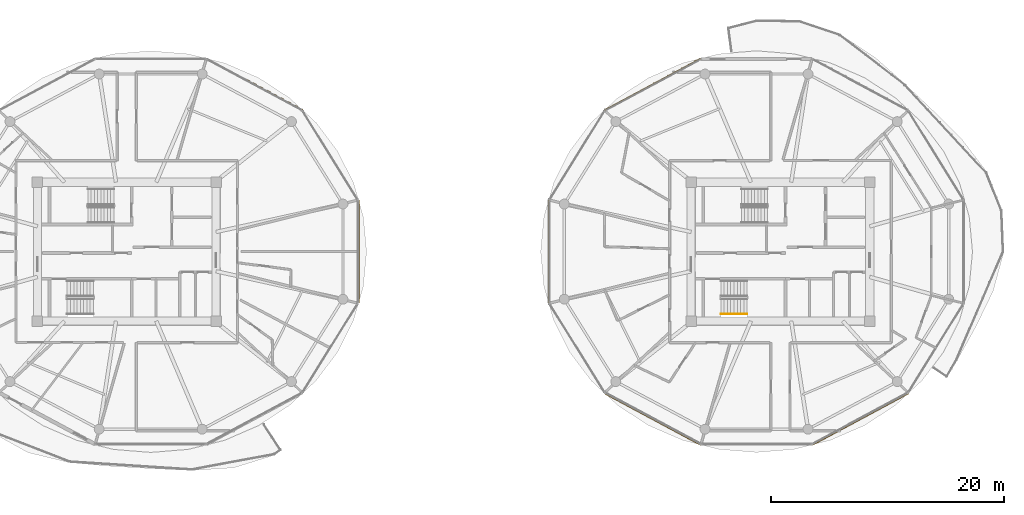
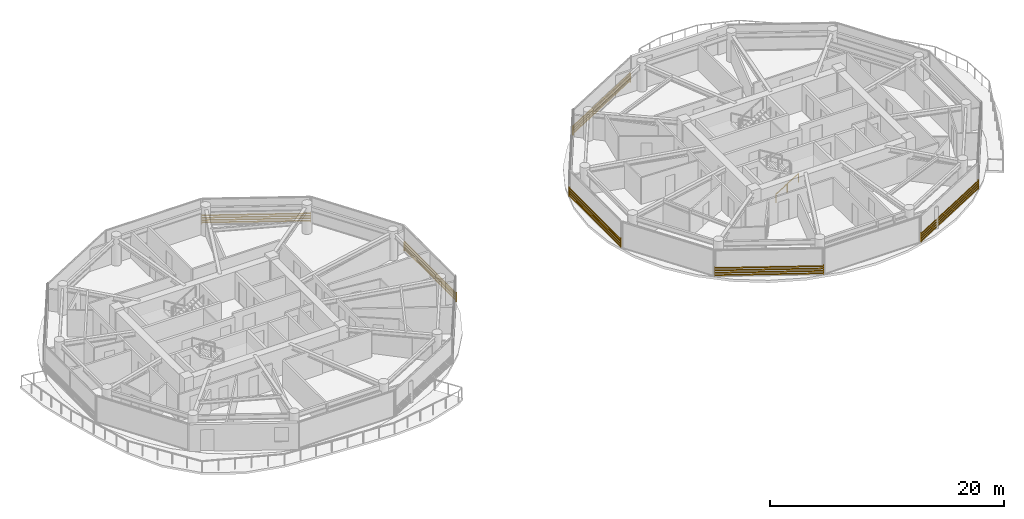
# One storey, part 23 of 24: 6 shading devices, 1 railing.
"""IFC4 building model written with IfcOpenShell, lengths in metres."""

from ifc_helpers import new_model, si_unit, direction, frame, origin, origin_2d, place, context, subcontext, project, spatial, rectangle, extrude, source, transform, mapped, material, type_object, type_shapes, element, save


model = new_model("IFC4")

# Units and contexts
model_context = context("Model", 3, precision=1e-05, world=origin(), true_north=direction((0.0, 1.0)))
body_context = subcontext(model_context, "Body", "Model", "MODEL_VIEW")
ifc_project = project(units=[si_unit("LENGTHUNIT", "METRE"), si_unit("AREAUNIT", "SQUARE_METRE"), si_unit("VOLUMEUNIT", "CUBIC_METRE"), si_unit("PLANEANGLEUNIT", "RADIAN"), si_unit("MASSUNIT", "GRAM", prefix="KILO")], contexts=[model_context])

# Site, building, storey
site_placement = place(None, origin())
site = spatial("IfcSite", under=ifc_project, at=site_placement, CompositionType="ELEMENT")
building_placement = place(site_placement, origin())
building = spatial("IfcBuilding", under=site, at=building_placement, Name="Norrkilde Senior Care Towers", CompositionType="ELEMENT")
storey_placement = place(building_placement, frame((0.0, 0.0, 108.449951171875)))
storey = spatial("IfcBuildingStorey", under=building, at=storey_placement, Name="L33", CompositionType="ELEMENT", Elevation=108.449951171875)

# Railing
ifc_material_1 = material(Name="Nordic Ash Timber", Category="wood")
railing_type = type_object("IfcRailingType", Name="Wall and Stair Handrail 900", PredefinedType="HANDRAIL", material=ifc_material_1)
railing_placement = place(storey_placement, frame((22.89990234375, -5.35009765625, 0.16943359375)))
element("IfcRailing", 1, at=railing_placement, inside=storey, type_object=railing_type, Name="L33 ST-E2 stair handrail 1", PredefinedType="HANDRAIL", context=body_context, shape_type="SweptSolid", body=[
    extrude(rectangle(XDim=0.048095703125, YDim=0.048095703125, at=origin_2d()), frame((0.0, 0.0, 0.8759765625), z_axis=(0.855512035549, 0.0, 0.517782924622), x_axis=(0.0, 1.0, 0.0)), (0.0, 0.0, 1.0), 2.618408203125),
    extrude(rectangle(XDim=0.0419921875, YDim=0.0419921875, at=origin_2d()), origin(), (0.0, 0.0, 1.0), 0.849853515625),
    extrude(rectangle(XDim=0.0419921875, YDim=0.0419921875, at=origin_2d()), frame((1.1201171875, 0.0, 0.677734375)), (0.0, 0.0, 1.0), 0.849853515625),
    extrude(rectangle(XDim=0.0419921875, YDim=0.0419921875, at=origin_2d()), frame((2.239990234375, 0.0, 1.355712890625)), (0.0, 0.0, 1.0), 0.849853515625),
])

# Shading devices
ifc_material_2 = material(Name="Architectural Terracotta", Category="masonry")
shading_device_type = type_object("IfcShadingDeviceType", Name="Horizontal Terracotta Baguette Rack", PredefinedType="USERDEFINED", material=ifc_material_2)
shared_shape_1 = source(origin(), body_context, "Body", "SweptSolid", [
    extrude(rectangle(XDim=0.070068359375, YDim=0.110107421875, at=origin_2d()), frame((0.0, 0.090087890625, 0.125), z_axis=(1.0, 0.0, 0.0), x_axis=(0.0, 1.0, 0.0)), (0.0, 0.0, 1.0), 9.3505859375),
    extrude(rectangle(XDim=0.070068359375, YDim=0.110107421875, at=origin_2d()), frame((0.0, 0.090087890625, 0.375), z_axis=(1.0, 0.0, 0.0), x_axis=(0.0, 1.0, 0.0)), (0.0, 0.0, 1.0), 9.3505859375),
    extrude(rectangle(XDim=0.070068359375, YDim=0.110107421875, at=origin_2d()), frame((0.0, 0.090087890625, 0.625), z_axis=(1.0, 0.0, 0.0), x_axis=(0.0, 1.0, 0.0)), (0.0, 0.0, 1.0), 9.3505859375),
    extrude(rectangle(XDim=0.070068359375, YDim=0.110107421875, at=origin_2d()), frame((0.0, 0.090087890625, 0.875), z_axis=(1.0, 0.0, 0.0), x_axis=(0.0, 1.0, 0.0)), (0.0, 0.0, 1.0), 9.3505859375),
    extrude(rectangle(XDim=0.050048828125, YDim=0.1552734375, at=origin_2d()), frame((0.02490234375, 0.047607421875, 0.0)), (0.0, 0.0, 1.0), 1.0),
    extrude(rectangle(XDim=0.050048828125, YDim=0.1552734375, at=origin_2d()), frame((9.32568359375, 0.047607421875, 0.0)), (0.0, 0.0, 1.0), 1.0),
])
for number, where, z_axis, x_axis, name in (
    (2, (-21.19287109375, 16.498046875, 0.080078125), (0.0, 0.0, 1.0), (0.881174934726, -0.472767624021, 0.0), "L33 Drum W Terracotta Baguette Screen 01"),
    (3, (12.953369140625, 12.077392578125, 0.080078125), (0.0, 0.0, 1.0), (0.881174934726, 0.472767624021, 0.0), "L33 Drum E Terracotta Baguette Screen 03"),
    (4, (21.19287109375, -16.498046875, 0.080078125), (0.0, 0.0, 1.0), (-0.881174934726, 0.472767624021, 0.0), "L33 Drum E Terracotta Baguette Screen 07"),
    (5, (38.946533203125, -12.077392578125, 0.080078125), (0.0, 0.0, 1.0), (-0.881174934726, -0.472767624021, 0.0), "L33 Drum E Terracotta Baguette Screen 09"),
):
    element("IfcShadingDevice", number, at=place(storey_placement, frame(where, z_axis=z_axis, x_axis=x_axis)), inside=storey, type_object=shading_device_type, Name=name, ObjectType="BAGUETTE", PredefinedType="USERDEFINED", context=body_context, shape_type="MappedRepresentation", body=[
        mapped(shared_shape_1, transform((0.0, 0.0, 0.0), x_axis=(1.0, 0.0, 0.0), y_axis=(0.0, 1.0, 0.0), z_axis=(0.0, 0.0, 1.0), scale=1.0)),
    ])
shared_shape_2 = source(origin(), body_context, "Body", "SweptSolid", [
    extrude(rectangle(XDim=0.070068359375, YDim=0.110107421875, at=origin_2d()), frame((0.0, 0.090087890625, 0.125), z_axis=(1.0, 0.0, 0.0), x_axis=(0.0, 1.0, 0.0)), (0.0, 0.0, 1.0), 8.84130859375),
    extrude(rectangle(XDim=0.070068359375, YDim=0.110107421875, at=origin_2d()), frame((0.0, 0.090087890625, 0.375), z_axis=(1.0, 0.0, 0.0), x_axis=(0.0, 1.0, 0.0)), (0.0, 0.0, 1.0), 8.84130859375),
    extrude(rectangle(XDim=0.070068359375, YDim=0.110107421875, at=origin_2d()), frame((0.0, 0.090087890625, 0.625), z_axis=(1.0, 0.0, 0.0), x_axis=(0.0, 1.0, 0.0)), (0.0, 0.0, 1.0), 8.84130859375),
    extrude(rectangle(XDim=0.070068359375, YDim=0.110107421875, at=origin_2d()), frame((0.0, 0.090087890625, 0.875), z_axis=(1.0, 0.0, 0.0), x_axis=(0.0, 1.0, 0.0)), (0.0, 0.0, 1.0), 8.84130859375),
    extrude(rectangle(XDim=0.050048828125, YDim=0.1552734375, at=origin_2d()), frame((0.02490234375, 0.047607421875, 0.0)), (0.0, 0.0, 1.0), 1.0),
    extrude(rectangle(XDim=0.050048828125, YDim=0.1552734375, at=origin_2d()), frame((8.81640625, 0.047607421875, 0.0)), (0.0, 0.0, 1.0), 1.0),
])
type_shapes(shading_device_type, [shared_shape_1, shared_shape_2])
for number, where, z_axis, x_axis, name in (
    (6, (-8.1962890625, 4.420654296875, 0.080078125), (0.0, 0.0, 1.0), (0.0, -1.0, 0.0), "L33 Drum W Terracotta Baguette Screen 11"),
    (7, (8.1962890625, -4.420654296875, 0.080078125), (0.0, 0.0, 1.0), (0.0, 1.0, 0.0), "L33 Drum E Terracotta Baguette Screen 05"),
):
    element("IfcShadingDevice", number, at=place(storey_placement, frame(where, z_axis=z_axis, x_axis=x_axis)), inside=storey, type_object=shading_device_type, Name=name, ObjectType="BAGUETTE", PredefinedType="USERDEFINED", context=body_context, shape_type="MappedRepresentation", body=[
        mapped(shared_shape_2, transform((0.0, 0.0, 0.0), x_axis=(1.0, 0.0, 0.0), y_axis=(0.0, 1.0, 0.0), z_axis=(0.0, 0.0, 1.0), scale=1.0)),
    ])

save(model, "model.ifc")
